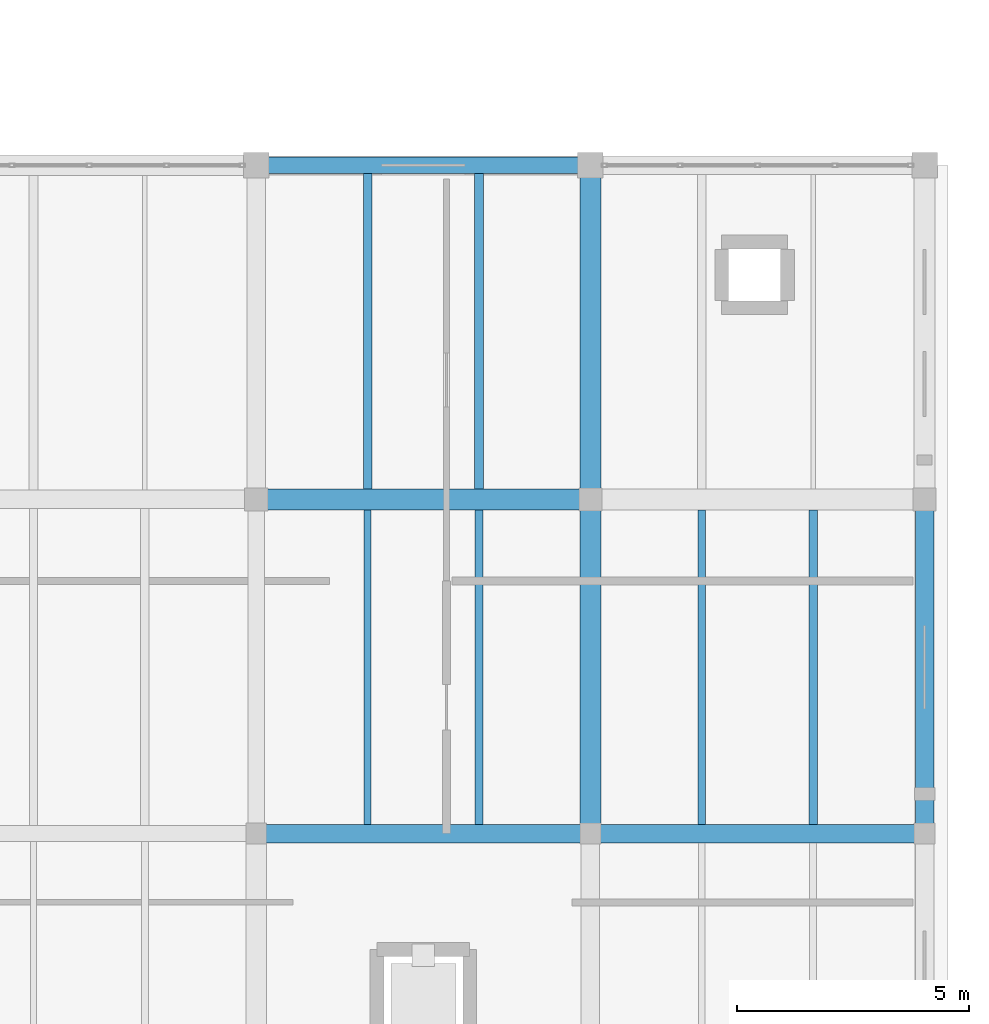
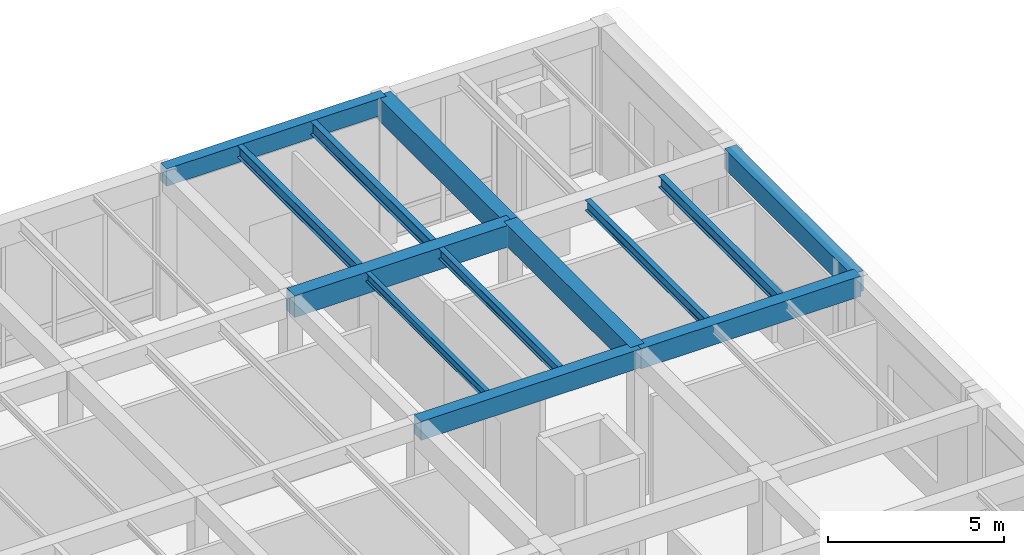
# One storey, part 107 of 169: 13 beams.
"""IFC4 building model written with IfcOpenShell, lengths in metres."""

from ifc_helpers import new_model, si_unit, direction, frame, origin, origin_2d, place, context, subcontext, project, spatial, rectangle, i_section, extrude, material, material_profile, profile_set, type_object, element, save


model = new_model("IFC4")

# Units and contexts
model_context = context("Model", 3, precision=1e-05, world=origin(), true_north=direction((0.0, 1.0)))
body_context = subcontext(model_context, "Body", "Model", "MODEL_VIEW")
ifc_project = project(units=[si_unit("LENGTHUNIT", "METRE"), si_unit("AREAUNIT", "SQUARE_METRE"), si_unit("VOLUMEUNIT", "CUBIC_METRE"), si_unit("PLANEANGLEUNIT", "RADIAN"), si_unit("MASSUNIT", "GRAM", prefix="KILO")], contexts=[model_context])

# Site, building, storey
site_placement = place(None, origin())
site = spatial("IfcSite", under=ifc_project, at=site_placement, CompositionType="ELEMENT")
building_placement = place(site_placement, origin())
building = spatial("IfcBuilding", under=site, at=building_placement, Name="Mazaris Harbour Polytechnic", CompositionType="ELEMENT")
storey_placement = place(building_placement, origin())
storey = spatial("IfcBuildingStorey", under=building, at=storey_placement, Name="L00", CompositionType="ELEMENT", Elevation=0.0)

# Beams
ifc_material_1 = material(Name="Concrete C35/45", Category="concrete")
ifc_material_profile_1 = material_profile(ifc_material_1, rectangle(XDim=0.35009765625, YDim=0.60009765625, at=origin_2d()), Name="RECT350x600")
ifc_profile_set_1 = profile_set([ifc_material_profile_1], Name="Concrete C35/45")
beam_type_1 = type_object("IfcBeamType", Name="RC Girder 350x600 Exterior", PredefinedType="BEAM", material=ifc_profile_set_1)
beam_1_placement = place(storey_placement, frame((158.39990234375, 108.0, 4.800048828125), z_axis=(1.0, 0.0, 0.0), x_axis=(0.0, 1.0, 0.0)))
element("IfcBeam", 1, at=beam_1_placement, inside=storey, type_object=beam_type_1, Name="V5 L00 Girder 2755", PredefinedType="BEAM", context=body_context, shape_type="SweptSolid", body=[
    extrude(rectangle(XDim=0.35009765625, YDim=0.60009765625, at=origin_2d()), origin(), (0.0, 0.0, 1.0), 7.2001953125),
])
ifc_material_2 = material(Name="Concrete C35/45", Category="concrete")
ifc_material_profile_2 = material_profile(ifc_material_2, rectangle(XDim=0.39990234375, YDim=0.64990234375, at=origin_2d()), Name="RECT400x650")
ifc_profile_set_2 = profile_set([ifc_material_profile_2], Name="Concrete C35/45")
beam_type_2 = type_object("IfcBeamType", Name="RC Girder 400x650", PredefinedType="BEAM", material=ifc_profile_set_2)
beam_2_placement = place(storey_placement, frame((158.39990234375, 93.60009765625, 4.77490234375), z_axis=(1.0, 0.0, 0.0), x_axis=(0.0, 1.0, 0.0)))
element("IfcBeam", 2, at=beam_2_placement, inside=storey, type_object=beam_type_2, Name="V5 L00 Girder 2741", PredefinedType="BEAM", context=body_context, shape_type="SweptSolid", body=[
    extrude(rectangle(XDim=0.39990234375, YDim=0.64990234375, at=origin_2d()), origin(), (0.0, 0.0, 1.0), 7.2001953125),
])
ifc_material_3 = material(Name="Concrete C35/45", Category="concrete")
ifc_material_profile_3 = material_profile(ifc_material_3, rectangle(XDim=0.39990234375, YDim=0.699951171875, at=origin_2d()), Name="RECT400x700")
ifc_profile_set_3 = profile_set([ifc_material_profile_3], Name="Concrete C35/45")
beam_type_3 = type_object("IfcBeamType", Name="RC Girder 400x700", PredefinedType="BEAM", material=ifc_profile_set_3)
beam_3_placement = place(storey_placement, frame((165.60009765625, 93.60009765625, 4.75), z_axis=(1.0, 0.0, 0.0), x_axis=(0.0, 1.0, 0.0)))
element("IfcBeam", 3, at=beam_3_placement, inside=storey, type_object=beam_type_3, Name="V5 L00 Girder 2742", PredefinedType="BEAM", context=body_context, shape_type="SweptSolid", body=[
    extrude(rectangle(XDim=0.39990234375, YDim=0.699951171875, at=origin_2d()), origin(), (0.0, 0.0, 1.0), 7.199951171875),
])
ifc_material_4 = material(Name="Concrete C35/45", Category="concrete")
ifc_material_profile_4 = material_profile(ifc_material_4, rectangle(XDim=0.39990234375, YDim=0.699951171875, at=origin_2d()), Name="RECT400x700")
ifc_profile_set_4 = profile_set([ifc_material_profile_4], Name="Concrete C35/45")
beam_type_4 = type_object("IfcBeamType", Name="RC Girder 400x700 Exterior", PredefinedType="BEAM", material=ifc_profile_set_4)
beam_4_placement = place(storey_placement, frame((172.800048828125, 93.60009765625, 4.75), z_axis=(0.0, 1.0, 0.0), x_axis=(-1.0, 0.0, 0.0)))
element("IfcBeam", 4, at=beam_4_placement, inside=storey, type_object=beam_type_4, Name="V5 L00 Tie Girder 2817", PredefinedType="BEAM", context=body_context, shape_type="SweptSolid", body=[
    extrude(rectangle(XDim=0.39990234375, YDim=0.699951171875, at=origin_2d()), origin(), (0.0, 0.0, 1.0), 7.199951171875),
])
ifc_material_5 = material(Name="Concrete C40/50", Category="concrete")
ifc_material_profile_5 = material_profile(ifc_material_5, rectangle(XDim=0.449951171875, YDim=0.75, at=origin_2d()), Name="RECT450x750")
ifc_profile_set_5 = profile_set([ifc_material_profile_5], Name="Concrete C40/50")
beam_type_5 = type_object("IfcBeamType", Name="RC Girder 450x750", PredefinedType="BEAM", material=ifc_profile_set_5)
beam_5_placement = place(storey_placement, frame((158.39990234375, 100.800048828125, 4.72509765625), z_axis=(1.0, 0.0, 0.0), x_axis=(0.0, 1.0, 0.0)))
element("IfcBeam", 5, at=beam_5_placement, inside=storey, type_object=beam_type_5, Name="V5 L00 Girder 2748", PredefinedType="BEAM", context=body_context, shape_type="SweptSolid", body=[
    extrude(rectangle(XDim=0.449951171875, YDim=0.75, at=origin_2d()), origin(), (0.0, 0.0, 1.0), 7.2001953125),
])
beam_6_placement = place(storey_placement, frame((165.60009765625, 93.60009765625, 4.72509765625), z_axis=(0.0, 1.0, 0.0), x_axis=(-1.0, 0.0, 0.0)))
element("IfcBeam", 6, at=beam_6_placement, inside=storey, type_object=beam_type_5, Name="V5 L00 Tie Girder 2808", PredefinedType="BEAM", context=body_context, shape_type="SweptSolid", body=[
    extrude(rectangle(XDim=0.449951171875, YDim=0.75, at=origin_2d()), origin(), (0.0, 0.0, 1.0), 7.199951171875),
])
ifc_material_6 = material(Name="Concrete C40/50", Category="concrete")
ifc_material_profile_6 = material_profile(ifc_material_6, rectangle(XDim=0.449951171875, YDim=0.800048828125, at=origin_2d()), Name="RECT450x800")
ifc_profile_set_6 = profile_set([ifc_material_profile_6], Name="Concrete C40/50")
beam_type_6 = type_object("IfcBeamType", Name="RC Girder 450x800", PredefinedType="BEAM", material=ifc_profile_set_6)
beam_7_placement = place(storey_placement, frame((165.60009765625, 100.800048828125, 4.699951171875), z_axis=(0.0, 1.0, 0.0), x_axis=(-1.0, 0.0, 0.0)))
element("IfcBeam", 7, at=beam_7_placement, inside=storey, type_object=beam_type_6, Name="V5 L00 Tie Girder 2809", PredefinedType="BEAM", context=body_context, shape_type="SweptSolid", body=[
    extrude(rectangle(XDim=0.449951171875, YDim=0.800048828125, at=origin_2d()), origin(), (0.0, 0.0, 1.0), 7.199951171875),
])
ifc_material_7 = material(Name="Steel S355", Category="steel")
ifc_material_profile_7 = material_profile(ifc_material_7, i_section(OverallWidth=0.14990234375, OverallDepth=0.300048828125, WebThickness=0.007080078125, FlangeThickness=0.0107421875, FilletRadius=0.014892578125, at=origin_2d()), Name="IPE 300")
ifc_profile_set_7 = profile_set([ifc_material_profile_7], Name="Steel S355")
beam_type_7 = type_object("IfcBeamType", Name="Steel Joist IPE300", PredefinedType="JOIST", material=ifc_profile_set_7)
beam_8_placement = place(storey_placement, frame((160.800048828125, 93.800048828125, 4.949951171875), z_axis=(0.0, 1.0, 0.0), x_axis=(-1.0, 0.0, 0.0)))
element("IfcBeam", 8, at=beam_8_placement, inside=storey, type_object=beam_type_7, Name="V5 L00 Floor Joist 2887", PredefinedType="JOIST", context=body_context, shape_type="SweptSolid", body=[
    extrude(i_section(OverallWidth=0.14990234375, OverallDepth=0.300048828125, WebThickness=0.007080078125, FlangeThickness=0.0107421875, FilletRadius=0.014892578125, at=origin_2d()), origin(), (0.0, 0.0, 1.0), 6.77490234375),
])
ifc_material_8 = material(Name="Steel S355", Category="steel")
ifc_material_profile_8 = material_profile(ifc_material_8, i_section(OverallWidth=0.169921875, OverallDepth=0.360107421875, WebThickness=0.008056640625, FlangeThickness=0.0126953125, FilletRadius=0.01806640625, at=origin_2d()), Name="IPE 360")
ifc_profile_set_8 = profile_set([ifc_material_profile_8], Name="Steel S355")
beam_type_8 = type_object("IfcBeamType", Name="Steel Joist IPE360", PredefinedType="JOIST", material=ifc_profile_set_8)
for number, where, z_axis, x_axis, name in (
    (9, (163.199951171875, 93.800048828125, 4.919921875), (0.0, 1.0, 0.0), (-1.0, 0.0, 0.0), "V5 L00 Floor Joist 2888"),
    (10, (168.0, 93.800048828125, 4.919921875), (0.0, 1.0, 0.0), (-1.0, 0.0, 0.0), "V5 L00 Floor Joist 2902"),
):
    element("IfcBeam", number, at=place(storey_placement, frame(where, z_axis=z_axis, x_axis=x_axis)), inside=storey, type_object=beam_type_8, Name=name, PredefinedType="JOIST", context=body_context, shape_type="SweptSolid", body=[
        extrude(i_section(OverallWidth=0.169921875, OverallDepth=0.360107421875, WebThickness=0.008056640625, FlangeThickness=0.0126953125, FilletRadius=0.01806640625, at=origin_2d()), origin(), (0.0, 0.0, 1.0), 6.77490234375),
    ])
ifc_material_9 = material(Name="Steel S355", Category="steel")
ifc_material_profile_9 = material_profile(ifc_material_9, i_section(OverallWidth=0.179931640625, OverallDepth=0.39990234375, WebThickness=0.008544921875, FlangeThickness=0.013427734375, FilletRadius=0.02099609375, at=origin_2d()), Name="IPE 400")
ifc_profile_set_9 = profile_set([ifc_material_profile_9], Name="Steel S355")
beam_type_9 = type_object("IfcBeamType", Name="Steel Joist IPE400", PredefinedType="JOIST", material=ifc_profile_set_9)
beam_9_placement = place(storey_placement, frame((160.800048828125, 101.02490234375, 4.89990234375), z_axis=(0.0, 1.0, 0.0), x_axis=(-1.0, 0.0, 0.0)))
element("IfcBeam", 11, at=beam_9_placement, inside=storey, type_object=beam_type_9, Name="V5 L00 Floor Joist 2889", PredefinedType="JOIST", context=body_context, shape_type="SweptSolid", body=[
    extrude(i_section(OverallWidth=0.179931640625, OverallDepth=0.39990234375, WebThickness=0.008544921875, FlangeThickness=0.013427734375, FilletRadius=0.02099609375, at=origin_2d()), origin(), (0.0, 0.0, 1.0), 6.800048828125),
])
beam_10_placement = place(storey_placement, frame((170.39990234375, 93.800048828125, 4.89990234375), z_axis=(0.0, 1.0, 0.0), x_axis=(-1.0, 0.0, 0.0)))
element("IfcBeam", 12, at=beam_10_placement, inside=storey, type_object=beam_type_9, Name="V5 L00 Floor Joist 2903", PredefinedType="JOIST", context=body_context, shape_type="SweptSolid", body=[
    extrude(i_section(OverallWidth=0.179931640625, OverallDepth=0.39990234375, WebThickness=0.008544921875, FlangeThickness=0.013427734375, FilletRadius=0.02099609375, at=origin_2d()), origin(), (0.0, 0.0, 1.0), 6.77490234375),
])
ifc_material_10 = material(Name="Steel S355", Category="steel")
ifc_material_profile_10 = material_profile(ifc_material_10, i_section(OverallWidth=0.18994140625, OverallDepth=0.449951171875, WebThickness=0.009521484375, FlangeThickness=0.0146484375, FilletRadius=0.02099609375, at=origin_2d()), Name="IPE 450")
ifc_profile_set_10 = profile_set([ifc_material_profile_10], Name="Steel S355")
beam_type_10 = type_object("IfcBeamType", Name="Steel Joist IPE450", PredefinedType="JOIST", material=ifc_profile_set_10)
beam_11_placement = place(storey_placement, frame((163.199951171875, 101.02490234375, 4.875), z_axis=(0.0, 1.0, 0.0), x_axis=(-1.0, 0.0, 0.0)))
element("IfcBeam", 13, at=beam_11_placement, inside=storey, type_object=beam_type_10, Name="V5 L00 Floor Joist 2890", PredefinedType="JOIST", context=body_context, shape_type="SweptSolid", body=[
    extrude(i_section(OverallWidth=0.18994140625, OverallDepth=0.449951171875, WebThickness=0.009521484375, FlangeThickness=0.0146484375, FilletRadius=0.02099609375, at=origin_2d()), origin(), (0.0, 0.0, 1.0), 6.800048828125),
])

save(model, "model.ifc")
